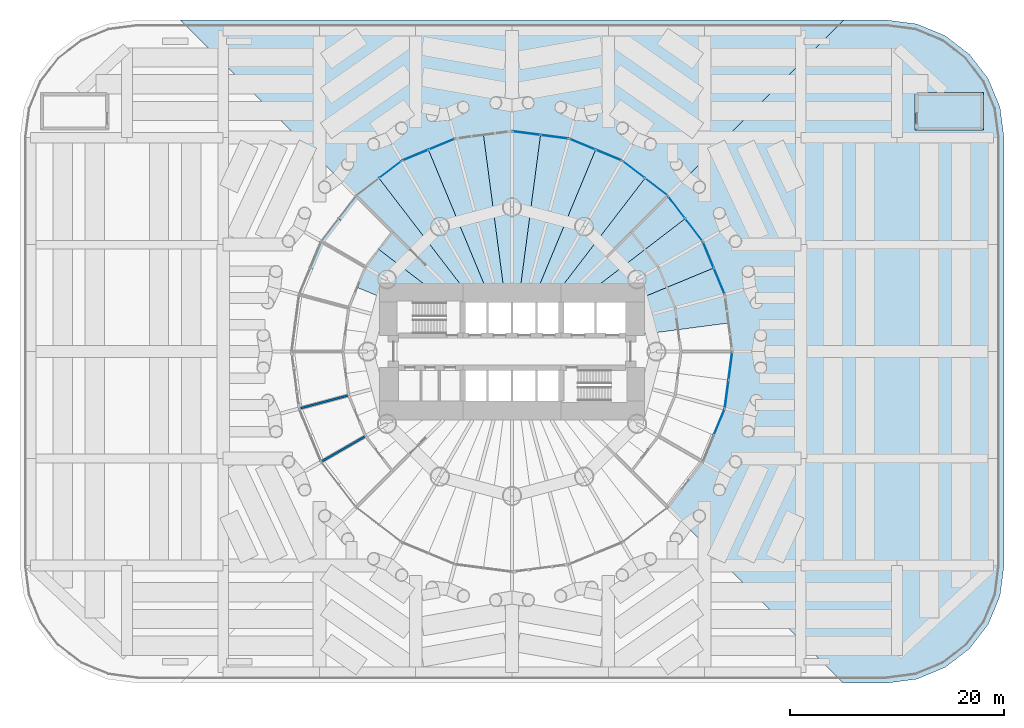
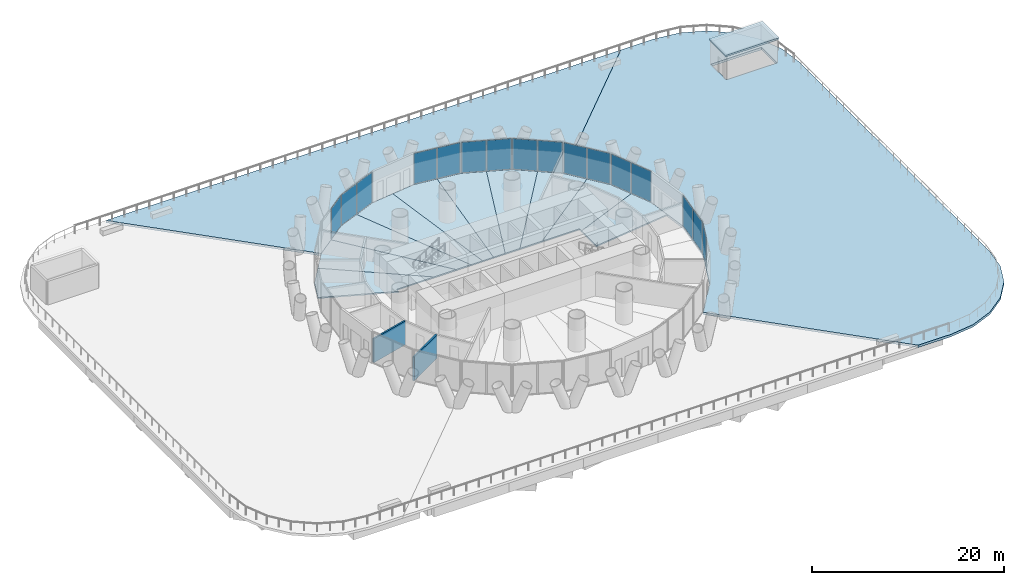
# One storey, part 12 of 19: 16 plates, 13 slabs, 2 walls, 9 elements without a shape of their own.
"""IFC4 building model written with IfcOpenShell, lengths in metres."""

from ifc_helpers import new_model, si_unit, direction, frame, frame_2d, origin, origin_2d, place, context, subcontext, project, spatial, polyline, rectangle, outline, extrude, material, layer, layer_set, type_object, element, aggregate, save


model = new_model("IFC4")

# Units and contexts
model_context = context("Model", 3, precision=1e-05, world=origin(), true_north=direction((0.0, 1.0)))
body_context = subcontext(model_context, "Body", "Model", "MODEL_VIEW")
ifc_project = project(units=[si_unit("LENGTHUNIT", "METRE"), si_unit("AREAUNIT", "SQUARE_METRE"), si_unit("VOLUMEUNIT", "CUBIC_METRE"), si_unit("PLANEANGLEUNIT", "RADIAN"), si_unit("MASSUNIT", "GRAM", prefix="KILO")], contexts=[model_context])

# Site, building, storey
site_placement = place(None, origin())
site = spatial("IfcSite", under=ifc_project, at=site_placement, CompositionType="ELEMENT")
building_placement = place(site_placement, origin())
building = spatial("IfcBuilding", under=site, at=building_placement, Name="Qaws Media Tower", CompositionType="ELEMENT")
storey_placement = place(building_placement, frame((0.0, 0.0, 26.0)))
storey = spatial("IfcBuildingStorey", under=building, at=storey_placement, Name="L04", CompositionType="ELEMENT", Elevation=26.0)

# Slabs
ifc_material_1 = material(Name="Concrete C35/45", Category="concrete")
ifc_layer_1 = layer(ifc_material_1, 0.159912109375)
ifc_layer_set_1 = layer_set([ifc_layer_1], Name="Composite floor slab 160")
slab_type_1 = type_object("IfcSlabType", Name="Composite floor slab 160", PredefinedType="FLOOR", material=ifc_layer_set_1)
slab_1_placement = place(storey_placement, frame((0.0, 0.0, -0.159912109375)))
element("IfcSlab", 1, at=slab_1_placement, inside=storey, type_object=slab_type_1, Name="S1 floor panel L04 on R02", PredefinedType="FLOOR", context=body_context, shape_type="SweptSolid", body=[
    extrude(outline(polyline([(79.898193359375, 55.331787109375), (80.2490234375, 52.665771484375), (71.0, 51.4482421875), (71.0, 54.556396484375), (78.869140625, 57.81591796875), (79.898193359375, 55.331787109375)])), origin(), (0.0, 0.0, 1.0), 0.159912109375),
])
slab_2_placement = place(storey_placement, frame((0.0, 0.0, -0.159912109375)))
element("IfcSlab", 2, at=slab_2_placement, inside=storey, type_object=slab_type_1, Name="S1 floor panel L04 on R03", PredefinedType="FLOOR", context=body_context, shape_type="SweptSolid", body=[
    extrude(outline(polyline([(77.840087890625, 60.300048828125), (78.869140625, 57.81591796875), (71.0, 54.556396484375), (71.0, 55.0), (66.51611328125, 55.0), (76.203369140625, 62.43310546875), (77.840087890625, 60.300048828125)])), origin(), (0.0, 0.0, 1.0), 0.159912109375),
])
slab_3_placement = place(storey_placement, frame((0.0, 0.0, -0.159912109375)))
element("IfcSlab", 3, at=slab_3_placement, inside=storey, type_object=slab_type_1, Name="S1 floor panel L04 on R04", PredefinedType="FLOOR", context=body_context, shape_type="SweptSolid", body=[
    extrude(outline(polyline([(74.56640625, 64.56640625), (76.203369140625, 62.43310546875), (66.51611328125, 55.0), (63.836669921875, 55.0), (72.43310546875, 66.203369140625), (74.56640625, 64.56640625)])), origin(), (0.0, 0.0, 1.0), 0.159912109375),
])
slab_4_placement = place(storey_placement, frame((0.0, 0.0, -0.159912109375)))
element("IfcSlab", 4, at=slab_4_placement, inside=storey, type_object=slab_type_1, Name="S1 floor panel L04 on R05", PredefinedType="FLOOR", context=body_context, shape_type="SweptSolid", body=[
    extrude(outline(polyline([(70.300048828125, 67.840087890625), (72.43310546875, 66.203369140625), (63.836669921875, 55.0), (62.071044921875, 55.0), (67.81591796875, 68.869140625), (70.300048828125, 67.840087890625)])), origin(), (0.0, 0.0, 1.0), 0.159912109375),
])
slab_5_placement = place(storey_placement, frame((0.0, 0.0, -0.159912109375)))
element("IfcSlab", 5, at=slab_5_placement, inside=storey, type_object=slab_type_1, Name="S1 floor panel L04 on R06", PredefinedType="FLOOR", context=body_context, shape_type="SweptSolid", body=[
    extrude(outline(polyline([(65.331787109375, 69.898193359375), (67.81591796875, 68.869140625), (62.071044921875, 55.0), (60.658203125, 55.0), (62.665771484375, 70.2490234375), (65.331787109375, 69.898193359375)])), origin(), (0.0, 0.0, 1.0), 0.159912109375),
])
slab_6_placement = place(storey_placement, frame((0.0, 0.0, -0.159912109375)))
element("IfcSlab", 6, at=slab_6_placement, inside=storey, type_object=slab_type_1, Name="S1 floor panel L04 on R07", PredefinedType="FLOOR", context=body_context, shape_type="SweptSolid", body=[
    extrude(outline(polyline([(60.0, 70.60009765625), (62.665771484375, 70.2490234375), (60.658203125, 55.0), (59.341796875, 55.0), (57.334228515625, 70.2490234375), (60.0, 70.60009765625)])), origin(), (0.0, 0.0, 1.0), 0.159912109375),
])
slab_7_placement = place(storey_placement, frame((0.0, 0.0, -0.159912109375)))
element("IfcSlab", 7, at=slab_7_placement, inside=storey, type_object=slab_type_1, Name="S1 floor panel L04 on R08", PredefinedType="FLOOR", context=body_context, shape_type="SweptSolid", body=[
    extrude(outline(polyline([(54.668212890625, 69.898193359375), (57.334228515625, 70.2490234375), (59.341796875, 55.0), (57.928955078125, 55.0), (52.18408203125, 68.869140625), (54.668212890625, 69.898193359375)])), origin(), (0.0, 0.0, 1.0), 0.159912109375),
])
slab_8_placement = place(storey_placement, frame((0.0, 0.0, -0.159912109375)))
element("IfcSlab", 8, at=slab_8_placement, inside=storey, type_object=slab_type_1, Name="S1 floor panel L04 on R09", PredefinedType="FLOOR", context=body_context, shape_type="SweptSolid", body=[
    extrude(outline(polyline([(49.699951171875, 67.840087890625), (52.18408203125, 68.869140625), (57.928955078125, 55.0), (56.163330078125, 55.0), (47.56689453125, 66.203369140625), (49.699951171875, 67.840087890625)])), origin(), (0.0, 0.0, 1.0), 0.159912109375),
])
slab_9_placement = place(storey_placement, frame((0.0, 0.0, -0.159912109375)))
element("IfcSlab", 9, at=slab_9_placement, inside=storey, type_object=slab_type_1, Name="S1 floor panel L04 on R10", PredefinedType="FLOOR", context=body_context, shape_type="SweptSolid", body=[
    extrude(outline(polyline([(45.43359375, 64.56640625), (47.56689453125, 66.203369140625), (56.163330078125, 55.0), (53.48388671875, 55.0), (43.796630859375, 62.43310546875), (45.43359375, 64.56640625)])), origin(), (0.0, 0.0, 1.0), 0.159912109375),
])
slab_10_placement = place(storey_placement, frame((0.0, 0.0, -0.159912109375)))
element("IfcSlab", 10, at=slab_10_placement, inside=storey, type_object=slab_type_1, Name="S1 floor panel L04 on R11", PredefinedType="FLOOR", context=body_context, shape_type="SweptSolid", body=[
    extrude(outline(polyline([(42.159912109375, 60.300048828125), (43.796630859375, 62.43310546875), (53.48388671875, 55.0), (49.0, 55.0), (49.0, 54.556396484375), (41.130859375, 57.81591796875), (42.159912109375, 60.300048828125)])), origin(), (0.0, 0.0, 1.0), 0.159912109375),
])

# Curtain wall, plates
ifc_material_2 = material(Name="Aluminium and clear glass", Category="aluminium")
curtain_wall_type = type_object("IfcCurtainWallType", Name="Unitised curtain wall CW-A", PredefinedType="NOTDEFINED", material=ifc_material_2)
curtain_wall_1_placement = place(storey_placement, origin())
curtain_wall_1 = element("IfcCurtainWall", 11, at=curtain_wall_1_placement, inside=storey, type_object=curtain_wall_type, Name="CWA curtain wall L04-02", PredefinedType="NOTDEFINED")
ifc_material_3 = material(Name="Clear laminated double glazing", Category="glass")
ifc_layer_2 = layer(ifc_material_3, 0.031982421875)
ifc_layer_set_2 = layer_set([ifc_layer_2], Name="Curtain wall glass unit 32")
plate_type = type_object("IfcPlateType", Name="Curtain wall glass unit 32", PredefinedType="CURTAIN_PANEL", material=ifc_layer_set_2)
plate_1_placement = place(storey_placement, frame((79.3759765625, 56.59228515625, 0.080078125), z_axis=(0.0, 0.0, 1.0), x_axis=(-0.382683457778, 0.923879521985, 0.0)))
plate_1 = element("IfcPlate", 12, at=plate_1_placement, type_object=plate_type, Name="CWA panel 1.1", PredefinedType="CURTAIN_PANEL", context=body_context, shape_type="SweptSolid", body=[
    extrude(rectangle(XDim=2.56884765625, YDim=0.031982421875, at=origin_2d()), origin(), (0.0, 0.0, 1.0), 3.8798828125),
])
plate_2_placement = place(storey_placement, frame((78.3623046875, 59.03955078125, 0.080078125), z_axis=(0.0, 0.0, 1.0), x_axis=(-0.382683457778, 0.923879521985, 0.0)))
plate_2 = element("IfcPlate", 13, at=plate_2_placement, type_object=plate_type, Name="CWA panel 2.1", PredefinedType="CURTAIN_PANEL", context=body_context, shape_type="SweptSolid", body=[
    extrude(rectangle(XDim=2.56884765625, YDim=0.031982421875, at=origin_2d()), origin(), (0.0, 0.0, 1.0), 3.8798828125),
])
aggregate(curtain_wall_1, [plate_1, plate_2])

curtain_wall_2_placement = place(storey_placement, origin())
curtain_wall_2 = element("IfcCurtainWall", 14, at=curtain_wall_2_placement, inside=storey, type_object=curtain_wall_type, Name="CWA curtain wall L04-03", PredefinedType="NOTDEFINED")
plate_3_placement = place(storey_placement, frame((77.009521484375, 61.382568359375, 0.080078125), z_axis=(0.0, 0.0, 1.0), x_axis=(-0.608761328178, 0.793353417662, 0.0)))
plate_3 = element("IfcPlate", 15, at=plate_3_placement, type_object=plate_type, Name="CWA panel 1.1", PredefinedType="CURTAIN_PANEL", context=body_context, shape_type="SweptSolid", body=[
    extrude(rectangle(XDim=2.56884765625, YDim=0.031982421875, at=origin_2d()), origin(), (0.0, 0.0, 1.0), 3.8798828125),
])
plate_4_placement = place(storey_placement, frame((75.39697265625, 63.48388671875, 0.080078125), z_axis=(0.0, 0.0, 1.0), x_axis=(-0.608761328178, 0.793353417662, 0.0)))
plate_4 = element("IfcPlate", 16, at=plate_4_placement, type_object=plate_type, Name="CWA panel 2.1", PredefinedType="CURTAIN_PANEL", context=body_context, shape_type="SweptSolid", body=[
    extrude(rectangle(XDim=2.56884765625, YDim=0.031982421875, at=origin_2d()), origin(), (0.0, 0.0, 1.0), 3.8798828125),
])
aggregate(curtain_wall_2, [plate_3, plate_4])

curtain_wall_3_placement = place(storey_placement, origin())
curtain_wall_3 = element("IfcCurtainWall", 17, at=curtain_wall_3_placement, inside=storey, type_object=curtain_wall_type, Name="CWA curtain wall L04-04", PredefinedType="NOTDEFINED")
plate_5_placement = place(storey_placement, frame((73.48388671875, 65.39697265625, 0.080078125), z_axis=(0.0, 0.0, 1.0), x_axis=(-0.793353417662, 0.608761328178, 0.0)))
plate_5 = element("IfcPlate", 18, at=plate_5_placement, type_object=plate_type, Name="CWA panel 1.1", PredefinedType="CURTAIN_PANEL", context=body_context, shape_type="SweptSolid", body=[
    extrude(rectangle(XDim=2.56884765625, YDim=0.031982421875, at=origin_2d()), origin(), (0.0, 0.0, 1.0), 3.8798828125),
])
plate_6_placement = place(storey_placement, frame((71.382568359375, 67.009521484375, 0.080078125), z_axis=(0.0, 0.0, 1.0), x_axis=(-0.793353417662, 0.608761328178, 0.0)))
plate_6 = element("IfcPlate", 19, at=plate_6_placement, type_object=plate_type, Name="CWA panel 2.1", PredefinedType="CURTAIN_PANEL", context=body_context, shape_type="SweptSolid", body=[
    extrude(rectangle(XDim=2.56884765625, YDim=0.031982421875, at=origin_2d()), origin(), (0.0, 0.0, 1.0), 3.8798828125),
])
aggregate(curtain_wall_3, [plate_5, plate_6])

curtain_wall_4_placement = place(storey_placement, origin())
curtain_wall_4 = element("IfcCurtainWall", 20, at=curtain_wall_4_placement, inside=storey, type_object=curtain_wall_type, Name="CWA curtain wall L04-05", PredefinedType="NOTDEFINED")
plate_7_placement = place(storey_placement, frame((69.03955078125, 68.3623046875, 0.080078125), z_axis=(0.0, 0.0, 1.0), x_axis=(-0.923879521985, 0.382683457778, 0.0)))
plate_7 = element("IfcPlate", 21, at=plate_7_placement, type_object=plate_type, Name="CWA panel 1.1", PredefinedType="CURTAIN_PANEL", context=body_context, shape_type="SweptSolid", body=[
    extrude(rectangle(XDim=2.56884765625, YDim=0.031982421875, at=origin_2d()), origin(), (0.0, 0.0, 1.0), 3.8798828125),
])
plate_8_placement = place(storey_placement, frame((66.59228515625, 69.3759765625, 0.080078125), z_axis=(0.0, 0.0, 1.0), x_axis=(-0.923879521985, 0.382683457778, 0.0)))
plate_8 = element("IfcPlate", 22, at=plate_8_placement, type_object=plate_type, Name="CWA panel 2.1", PredefinedType="CURTAIN_PANEL", context=body_context, shape_type="SweptSolid", body=[
    extrude(rectangle(XDim=2.56884765625, YDim=0.031982421875, at=origin_2d()), origin(), (0.0, 0.0, 1.0), 3.8798828125),
])
aggregate(curtain_wall_4, [plate_7, plate_8])

curtain_wall_5_placement = place(storey_placement, origin())
curtain_wall_5 = element("IfcCurtainWall", 23, at=curtain_wall_5_placement, inside=storey, type_object=curtain_wall_type, Name="CWA curtain wall L04-06", PredefinedType="NOTDEFINED")
plate_9_placement = place(storey_placement, frame((63.97900390625, 70.076171875, 0.080078125), z_axis=(0.0, 0.0, 1.0), x_axis=(-0.991444859813, 0.130526204073, 0.0)))
plate_9 = element("IfcPlate", 24, at=plate_9_placement, type_object=plate_type, Name="CWA panel 1.1", PredefinedType="CURTAIN_PANEL", context=body_context, shape_type="SweptSolid", body=[
    extrude(rectangle(XDim=2.56884765625, YDim=0.031982421875, at=origin_2d()), origin(), (0.0, 0.0, 1.0), 3.8798828125),
])
plate_10_placement = place(storey_placement, frame((61.352783203125, 70.421875, 0.080078125), z_axis=(0.0, 0.0, 1.0), x_axis=(-0.991444859813, 0.130526204073, 0.0)))
plate_10 = element("IfcPlate", 25, at=plate_10_placement, type_object=plate_type, Name="CWA panel 2.1", PredefinedType="CURTAIN_PANEL", context=body_context, shape_type="SweptSolid", body=[
    extrude(rectangle(XDim=2.56884765625, YDim=0.031982421875, at=origin_2d()), origin(), (0.0, 0.0, 1.0), 3.8798828125),
])
aggregate(curtain_wall_5, [plate_9, plate_10])

curtain_wall_6_placement = place(storey_placement, origin())
curtain_wall_6 = element("IfcCurtainWall", 26, at=curtain_wall_6_placement, inside=storey, type_object=curtain_wall_type, Name="CWA curtain wall L04-08", PredefinedType="NOTDEFINED")
plate_11_placement = place(storey_placement, frame((53.40771484375, 69.3759765625, 0.080078125), z_axis=(0.0, 0.0, 1.0), x_axis=(-0.923879521985, -0.382683457778, 0.0)))
plate_11 = element("IfcPlate", 27, at=plate_11_placement, type_object=plate_type, Name="CWA panel 1.1", PredefinedType="CURTAIN_PANEL", context=body_context, shape_type="SweptSolid", body=[
    extrude(rectangle(XDim=2.56884765625, YDim=0.031982421875, at=origin_2d()), origin(), (0.0, 0.0, 1.0), 3.8798828125),
])
plate_12_placement = place(storey_placement, frame((50.96044921875, 68.3623046875, 0.080078125), z_axis=(0.0, 0.0, 1.0), x_axis=(-0.923879521985, -0.382683457778, 0.0)))
plate_12 = element("IfcPlate", 28, at=plate_12_placement, type_object=plate_type, Name="CWA panel 2.1", PredefinedType="CURTAIN_PANEL", context=body_context, shape_type="SweptSolid", body=[
    extrude(rectangle(XDim=2.56884765625, YDim=0.031982421875, at=origin_2d()), origin(), (0.0, 0.0, 1.0), 3.8798828125),
])
aggregate(curtain_wall_6, [plate_11, plate_12])

# Curtain wall, plate
curtain_wall_7_placement = place(storey_placement, origin())
curtain_wall_7 = element("IfcCurtainWall", 29, at=curtain_wall_7_placement, inside=storey, type_object=curtain_wall_type, Name="CWA curtain wall L04-09", PredefinedType="NOTDEFINED")
plate_13_placement = place(storey_placement, frame((48.617431640625, 67.009521484375, 0.080078125), z_axis=(0.0, 0.0, 1.0), x_axis=(-0.793353417662, -0.608761328178, 0.0)))
plate_13 = element("IfcPlate", 30, at=plate_13_placement, type_object=plate_type, Name="CWA panel 1.1", PredefinedType="CURTAIN_PANEL", context=body_context, shape_type="SweptSolid", body=[
    extrude(rectangle(XDim=2.56884765625, YDim=0.031982421875, at=origin_2d()), origin(), (0.0, 0.0, 1.0), 3.8798828125),
])
aggregate(curtain_wall_7, [plate_13])

curtain_wall_8_placement = place(storey_placement, origin())
curtain_wall_8 = element("IfcCurtainWall", 31, at=curtain_wall_8_placement, inside=storey, type_object=curtain_wall_type, Name="CWA curtain wall L04-23", PredefinedType="NOTDEFINED")
plate_14_placement = place(storey_placement, frame((79.3759765625, 43.40771484375, 0.080078125), z_axis=(0.0, 0.0, 1.0), x_axis=(0.382683457778, 0.923879521985, 0.0)))
plate_14 = element("IfcPlate", 32, at=plate_14_placement, type_object=plate_type, Name="CWA panel 2.1", PredefinedType="CURTAIN_PANEL", context=body_context, shape_type="SweptSolid", body=[
    extrude(rectangle(XDim=2.56884765625, YDim=0.031982421875, at=origin_2d()), origin(), (0.0, 0.0, 1.0), 3.8798828125),
])
aggregate(curtain_wall_8, [plate_14])

# Curtain wall, plates
curtain_wall_9_placement = place(storey_placement, origin())
curtain_wall_9 = element("IfcCurtainWall", 33, at=curtain_wall_9_placement, inside=storey, type_object=curtain_wall_type, Name="CWA curtain wall L04-24", PredefinedType="NOTDEFINED")
plate_15_placement = place(storey_placement, frame((80.076171875, 46.02099609375, 0.080078125), z_axis=(0.0, 0.0, 1.0), x_axis=(0.130526204073, 0.991444859813, 0.0)))
plate_15 = element("IfcPlate", 34, at=plate_15_placement, type_object=plate_type, Name="CWA panel 1.1", PredefinedType="CURTAIN_PANEL", context=body_context, shape_type="SweptSolid", body=[
    extrude(rectangle(XDim=2.56884765625, YDim=0.031982421875, at=origin_2d()), origin(), (0.0, 0.0, 1.0), 3.8798828125),
])
plate_16_placement = place(storey_placement, frame((80.421875, 48.647216796875, 0.080078125), z_axis=(0.0, 0.0, 1.0), x_axis=(0.130526204073, 0.991444859813, 0.0)))
plate_16 = element("IfcPlate", 35, at=plate_16_placement, type_object=plate_type, Name="CWA panel 2.1", PredefinedType="CURTAIN_PANEL", context=body_context, shape_type="SweptSolid", body=[
    extrude(rectangle(XDim=2.56884765625, YDim=0.031982421875, at=origin_2d()), origin(), (0.0, 0.0, 1.0), 3.8798828125),
])
aggregate(curtain_wall_9, [plate_15, plate_16])

# Slabs
ifc_material_4 = material(Name="Concrete C40/50", Category="concrete")
ifc_layer_3 = layer(ifc_material_4, 0.199951171875)
ifc_layer_set_3 = layer_set([ifc_layer_3], Name="Head-house roof slab 200")
slab_type_2 = type_object("IfcSlabType", Name="Head-house roof slab 200", PredefinedType="ROOF", material=ifc_layer_set_3)
slab_11_placement = place(storey_placement, frame((0.0, 0.0, 3.0)))
element("IfcSlab", 36, at=slab_11_placement, inside=storey, type_object=slab_type_2, Name="S8 stair S4 head-house roof", PredefinedType="ROOF", context=body_context, shape_type="SweptSolid", body=[
    extrude(outline(polyline([(97.699951171875, 70.699951171875), (104.10009765625, 70.699951171875), (104.10009765625, 74.199951171875), (97.699951171875, 74.199951171875), (97.699951171875, 70.699951171875)])), origin(), (0.0, 0.0, 1.0), 0.199951171875),
])
ifc_material_5 = material(Name="Concrete C40/50", Category="concrete")
ifc_layer_4 = layer(ifc_material_5, 0.300048828125)
ifc_layer_set_4 = layer_set([ifc_layer_4], Name="Podium roof slab 300")
slab_type_3 = type_object("IfcSlabType", Name="Podium roof slab 300", PredefinedType="ROOF", material=ifc_layer_set_4)
slab_12_placement = place(storey_placement, frame((0.0, 0.0, -0.300048828125)))
element("IfcSlab", 37, at=slab_12_placement, inside=storey, type_object=slab_type_3, Name="S4 roof garden slab L04 R04 to R10, movement joints on R04 and R10", PredefinedType="ROOF", context=body_context, shape_type="SweptSolid", body=[
    extrude(outline(polyline([(29.0, 81.0), (42.0, 81.0), (91.0, 81.0), (74.56640625, 64.56640625), (70.300048828125, 67.840087890625), (65.331787109375, 69.898193359375), (60.0, 70.60009765625), (54.668212890625, 69.898193359375), (49.699951171875, 67.840087890625), (45.43359375, 64.56640625), (29.0, 81.0)])), origin(), (0.0, 0.0, 1.0), 0.300048828125),
])
slab_13_placement = place(storey_placement, frame((0.0, 0.0, -0.300048828125)))
element("IfcSlab", 38, at=slab_13_placement, inside=storey, type_object=slab_type_3, Name="S4 roof garden slab L04 R22 to R04, movement joints on R22 and R04", PredefinedType="ROOF", context=body_context, shape_type="SweptSolid", body=[
    extrude(outline(polyline([(95.0, 81.0), (97.846923828125, 80.625244140625), (100.5, 79.5263671875), (102.7783203125, 77.7783203125), (104.5263671875, 75.5), (105.625244140625, 72.846923828125), (106.0, 70.0), (106.0, 30.0), (105.625244140625, 27.153076171875), (104.5263671875, 24.5), (102.7783203125, 22.2216796875), (100.5, 20.4736328125), (97.846923828125, 19.374755859375), (95.0, 19.0), (91.0, 19.0), (74.56640625, 35.43359375), (77.840087890625, 39.699951171875), (79.898193359375, 44.668212890625), (80.60009765625, 50.0), (79.898193359375, 55.331787109375), (77.840087890625, 60.300048828125), (74.56640625, 64.56640625), (91.0, 81.0), (95.0, 81.0)]), holes=[polyline([(103.949951171875, 74.050048828125), (97.85009765625, 74.050048828125), (97.85009765625, 70.85009765625), (103.949951171875, 70.85009765625), (103.949951171875, 74.050048828125)])]), origin(), (0.0, 0.0, 1.0), 0.300048828125),
])

# Walls
ifc_material_6 = material(Name="Gypsum board on galvanised metal studs, acoustic double stud, deflection head", Category="gypsum")
ifc_layer_5 = layer(ifc_material_6, 0.199951171875)
ifc_layer_set_5 = layer_set([ifc_layer_5], Name="Room partition 200")
wall_type = type_object("IfcWallType", Name="Room partition 200", PredefinedType="PARTITIONING", material=ifc_layer_set_5)
wall_1_placement = place(storey_placement, frame((44.73828125, 45.91064453125, 0.0), z_axis=(0.0, 0.0, 1.0), x_axis=(-0.965924664608, -0.258823380515, 0.0)))
element("IfcWall", 39, at=wall_1_placement, inside=storey, type_object=wall_type, Name="W942 IW3 partition L04", PredefinedType="PARTITIONING", context=body_context, shape_type="SweptSolid", body=[
    extrude(rectangle(XDim=4.65966796875, YDim=0.199951171875, at=frame_2d((2.329833984375, 0.0))), origin(), (0.0, 0.0, 1.0), 3.0400390625),
])
wall_2_placement = place(storey_placement, frame((46.31689453125, 42.10009765625, 0.0), z_axis=(0.0, 0.0, 1.0), x_axis=(-0.866015616091, -0.5000169524, 0.0)))
element("IfcWall", 40, at=wall_2_placement, inside=storey, type_object=wall_type, Name="W945 IW3 partition L04", PredefinedType="PARTITIONING", context=body_context, shape_type="SweptSolid", body=[
    extrude(rectangle(XDim=4.760009765625, YDim=0.199951171875, at=frame_2d((2.3798828125, 0.0))), origin(), (0.0, 0.0, 1.0), 3.0400390625),
])

save(model, "model.ifc")
